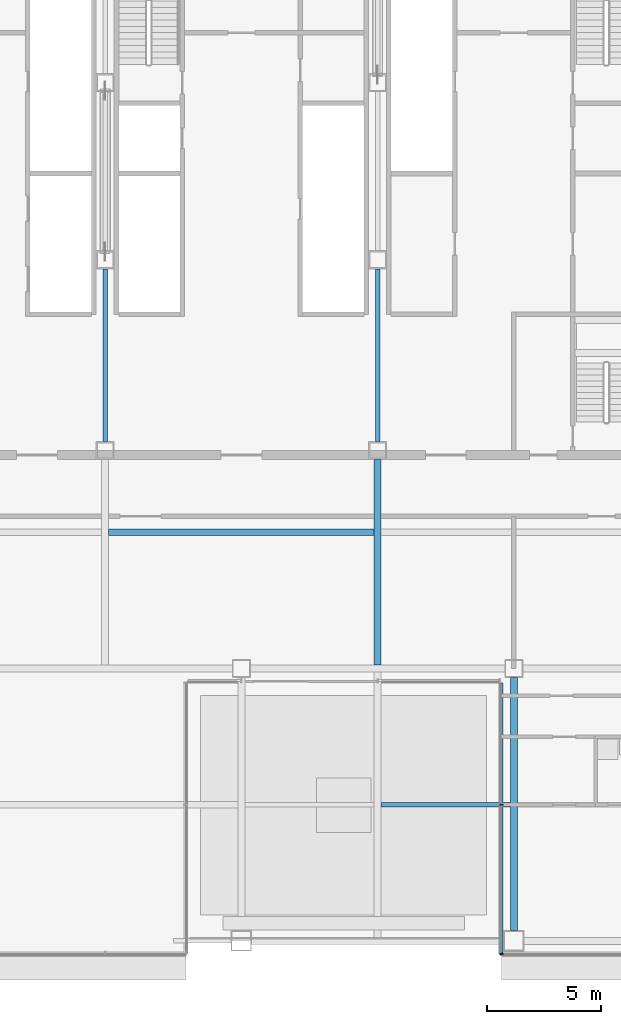
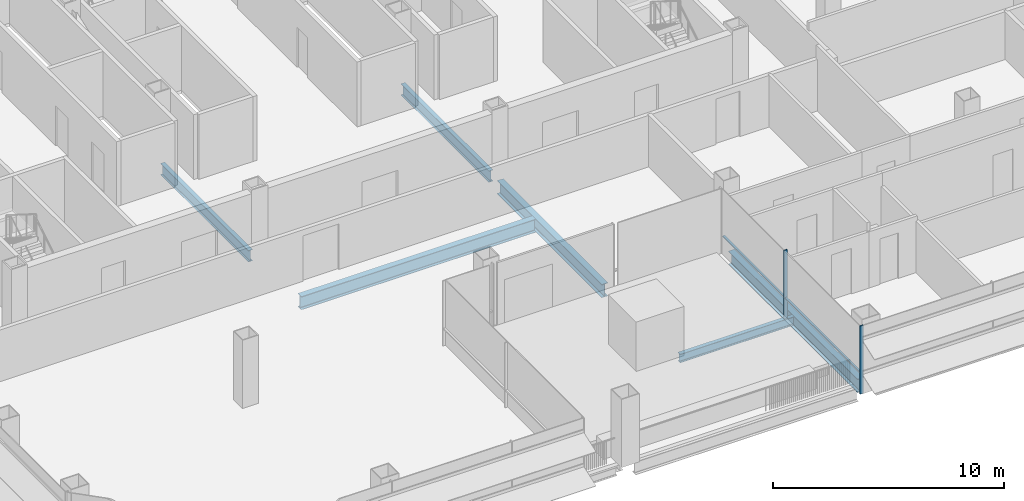
# One storey, part 7 of 27: 6 beams, 3 members, 1 element without a shape of its own.
"""IFC4 building model written with IfcOpenShell, lengths in metres."""

from ifc_helpers import new_model, si_unit, direction, frame, origin, origin_2d, place, context, subcontext, project, spatial, rectangle, i_section, extrude, material, material_profile, profile_set, type_object, element, aggregate, save


model = new_model("IFC4")

# Units and contexts
model_context = context("Model", 3, precision=1e-05, world=origin(), true_north=direction((0.0, 1.0)))
body_context = subcontext(model_context, "Body", "Model", "MODEL_VIEW")
ifc_project = project(units=[si_unit("LENGTHUNIT", "METRE"), si_unit("AREAUNIT", "SQUARE_METRE"), si_unit("VOLUMEUNIT", "CUBIC_METRE"), si_unit("PLANEANGLEUNIT", "RADIAN"), si_unit("MASSUNIT", "GRAM", prefix="KILO")], contexts=[model_context])

# Site, building, storey
site_placement = place(None, origin())
site = spatial("IfcSite", under=ifc_project, at=site_placement, CompositionType="ELEMENT")
building_placement = place(site_placement, origin())
building = spatial("IfcBuilding", under=site, at=building_placement, Name="Sorahane Residences", CompositionType="ELEMENT")
storey_placement = place(building_placement, frame((0.0, 0.0, 82.199951171875)))
storey = spatial("IfcBuildingStorey", under=building, at=storey_placement, Name="L17", CompositionType="ELEMENT", Elevation=82.199951171875)

# Curtain wall, members
ifc_material_1 = material(Name="Dark low-e glass and black anodised aluminium", Category="aluminium")
curtain_wall_type = type_object("IfcCurtainWallType", Name="Curtain wall CW-1 Typical unitised wall", PredefinedType="NOTDEFINED", material=ifc_material_1)
curtain_wall_placement = place(storey_placement, origin())
curtain_wall = element("IfcCurtainWall", 1, at=curtain_wall_placement, inside=storey, type_object=curtain_wall_type, Name="CW-1 curtain wall L17 W1", PredefinedType="NOTDEFINED")
ifc_material_2 = material(Name="Black anodised aluminium", Category="aluminium")
ifc_material_profile_1 = material_profile(ifc_material_2, rectangle(XDim=0.159912109375, YDim=0.050048828125, at=origin_2d()), Name="Curtain wall mullion CW-1 black anodised aluminium 50x160")
ifc_profile_set_1 = profile_set([ifc_material_profile_1], Name="Black anodised aluminium")
member_type_1 = type_object("IfcMemberType", Name="Curtain wall mullion CW-1 black anodised aluminium 50x160", PredefinedType="MULLION", material=ifc_profile_set_1)
member_1_placement = place(storey_placement, frame((35.4599609375, 6.0, -0.179931640625), z_axis=(0.0, 0.0, 1.0), x_axis=(-1.0, 0.0, 0.0)))
member_1 = element("IfcMember", 2, at=member_1_placement, type_object=member_type_1, Name="CW-1 mullion L17 W1.2", PredefinedType="MULLION", context=body_context, shape_type="SweptSolid", body=[
    extrude(rectangle(XDim=0.159912109375, YDim=0.050048828125, at=origin_2d()), origin(), (0.0, 0.0, 1.0), 3.60009765625),
])
member_2_placement = place(storey_placement, frame((35.4599609375, -0.574951171875, -0.179931640625), z_axis=(0.0, 0.0, 1.0), x_axis=(-1.0, 0.0, 0.0)))
member_2 = element("IfcMember", 3, at=member_2_placement, type_object=member_type_1, Name="CW-1 mullion L17 W1.3", PredefinedType="MULLION", context=body_context, shape_type="SweptSolid", body=[
    extrude(rectangle(XDim=0.159912109375, YDim=0.050048828125, at=origin_2d()), origin(), (0.0, 0.0, 1.0), 3.60009765625),
])
ifc_material_3 = material(Name="Black anodised aluminium", Category="aluminium")
ifc_material_profile_2 = material_profile(ifc_material_3, rectangle(XDim=0.10009765625, YDim=0.06005859375, at=origin_2d()), Name="Curtain wall transom CW-1 black anodised aluminium 60x100")
ifc_profile_set_2 = profile_set([ifc_material_profile_2], Name="Black anodised aluminium")
member_type_2 = type_object("IfcMemberType", Name="Curtain wall transom CW-1 black anodised aluminium 60x100", PredefinedType="USERDEFINED", material=ifc_profile_set_2)
member_3_placement = place(storey_placement, frame((35.469970703125, 11.35009765625, 0.900146484375), z_axis=(0.0, -1.0, 0.0), x_axis=(1.0, 0.0, 0.0)))
member_3 = element("IfcMember", 4, at=member_3_placement, type_object=member_type_2, Name="CW-1 transom L17 W1", ObjectType="TRANSOM", PredefinedType="USERDEFINED", context=body_context, shape_type="SweptSolid", body=[
    extrude(rectangle(XDim=0.10009765625, YDim=0.06005859375, at=origin_2d()), origin(), (0.0, 0.0, 1.0), 11.900146484375),
])
aggregate(curtain_wall, [member_1, member_2, member_3])

# Beams
ifc_material_4 = material(Name="Steel Q355B", Category="steel")
ifc_material_profile_3 = material_profile(ifc_material_4, i_section(OverallWidth=0.199951171875, OverallDepth=0.449951171875, WebThickness=0.009033203125, FlangeThickness=0.013916015625, FilletRadius=0.02001953125, at=origin_2d()), Name="HN 450x200x9x14")
ifc_profile_set_3 = profile_set([ifc_material_profile_3], Name="Steel Q355B")
beam_type_1 = type_object("IfcBeamType", Name="Steel floor beam HN 450x200x9x14 Q355B", PredefinedType="BEAM", material=ifc_profile_set_3)
beam_1_placement = place(storey_placement, frame((30.14990234375, 6.0, -0.405029296875), z_axis=(1.0, 0.0, 0.0), x_axis=(0.0, 1.0, 0.0)))
element("IfcBeam", 5, at=beam_1_placement, inside=storey, type_object=beam_type_1, Name="Beam L17 064", PredefinedType="BEAM", context=body_context, shape_type="SweptSolid", body=[
    extrude(i_section(OverallWidth=0.199951171875, OverallDepth=0.449951171875, WebThickness=0.009033203125, FlangeThickness=0.013916015625, FilletRadius=0.02001953125, at=origin_2d()), origin(), (0.0, 0.0, 1.0), 5.7001953125),
])
ifc_material_5 = material(Name="Steel Q355B", Category="steel")
ifc_material_profile_4 = material_profile(ifc_material_5, i_section(OverallWidth=0.199951171875, OverallDepth=0.60009765625, WebThickness=0.010986328125, FlangeThickness=0.01708984375, FilletRadius=0.02392578125, at=origin_2d()), Name="HN 600x200x11x17")
ifc_profile_set_4 = profile_set([ifc_material_profile_4], Name="Steel Q355B")
beam_type_2 = type_object("IfcBeamType", Name="Steel floor beam HN 600x200x11x17 Q355B", PredefinedType="BEAM", material=ifc_profile_set_4)
for number, where, z_axis, x_axis, name in (
    (6, (18.0, 22.0, -0.47998046875), (0.0, 1.0, 0.0), (-1.0, 0.0, 0.0), "Beam L17 030"),
    (7, (30.0, 22.0, -0.47998046875), (0.0, 1.0, 0.0), (-1.0, 0.0, 0.0), "Beam L17 038"),
):
    element("IfcBeam", number, at=place(storey_placement, frame(where, z_axis=z_axis, x_axis=x_axis)), inside=storey, type_object=beam_type_2, Name=name, PredefinedType="BEAM", context=body_context, shape_type="SweptSolid", body=[
        extrude(i_section(OverallWidth=0.199951171875, OverallDepth=0.60009765625, WebThickness=0.010986328125, FlangeThickness=0.01708984375, FilletRadius=0.02392578125, at=origin_2d()), origin(), (0.0, 0.0, 1.0), 7.60009765625),
    ])
ifc_material_6 = material(Name="Steel Q355B", Category="steel")
ifc_material_profile_5 = material_profile(ifc_material_6, i_section(OverallWidth=0.300048828125, OverallDepth=0.699951171875, WebThickness=0.012939453125, FlangeThickness=0.02392578125, FilletRadius=0.028076171875, at=origin_2d()), Name="HN 700x300x13x24")
ifc_profile_set_5 = profile_set([ifc_material_profile_5], Name="Steel Q355B")
beam_type_3 = type_object("IfcBeamType", Name="Steel floor beam HN 700x300x13x24 Q355B", PredefinedType="BEAM", material=ifc_profile_set_5)
beam_2_placement = place(storey_placement, frame((30.0, 12.14990234375, -0.530029296875), z_axis=(0.0, 1.0, 0.0), x_axis=(-1.0, 0.0, 0.0)))
element("IfcBeam", 8, at=beam_2_placement, inside=storey, type_object=beam_type_3, Name="Beam L17 037", PredefinedType="BEAM", context=body_context, shape_type="SweptSolid", body=[
    extrude(i_section(OverallWidth=0.300048828125, OverallDepth=0.699951171875, WebThickness=0.012939453125, FlangeThickness=0.02392578125, FilletRadius=0.028076171875, at=origin_2d()), origin(), (0.0, 0.0, 1.0), 9.050048828125),
])
beam_3_placement = place(storey_placement, frame((36.0, 0.449951171875, -0.530029296875), z_axis=(0.0, 1.0, 0.0), x_axis=(-1.0, 0.0, 0.0)))
element("IfcBeam", 9, at=beam_3_placement, inside=storey, type_object=beam_type_3, Name="Beam L17 042", PredefinedType="BEAM", context=body_context, shape_type="SweptSolid", body=[
    extrude(i_section(OverallWidth=0.300048828125, OverallDepth=0.699951171875, WebThickness=0.012939453125, FlangeThickness=0.02392578125, FilletRadius=0.028076171875, at=origin_2d()), origin(), (0.0, 0.0, 1.0), 11.150146484375),
])
beam_4_placement = place(storey_placement, frame((18.14990234375, 18.0, -0.530029296875), z_axis=(1.0, 0.0, 0.0), x_axis=(0.0, 1.0, 0.0)))
element("IfcBeam", 10, at=beam_4_placement, inside=storey, type_object=beam_type_3, Name="Beam L17 070", PredefinedType="BEAM", context=body_context, shape_type="SweptSolid", body=[
    extrude(i_section(OverallWidth=0.300048828125, OverallDepth=0.699951171875, WebThickness=0.012939453125, FlangeThickness=0.02392578125, FilletRadius=0.028076171875, at=origin_2d()), origin(), (0.0, 0.0, 1.0), 11.7001953125),
])

save(model, "model.ifc")
